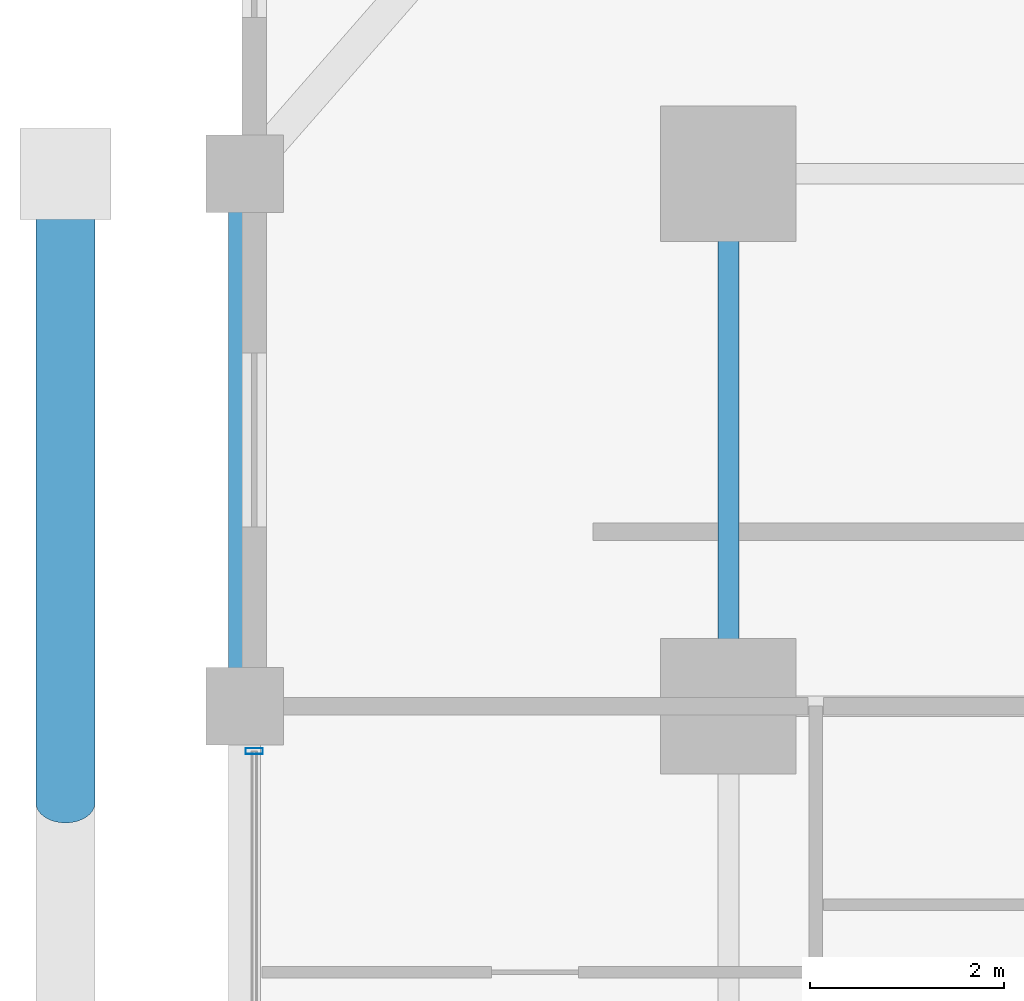
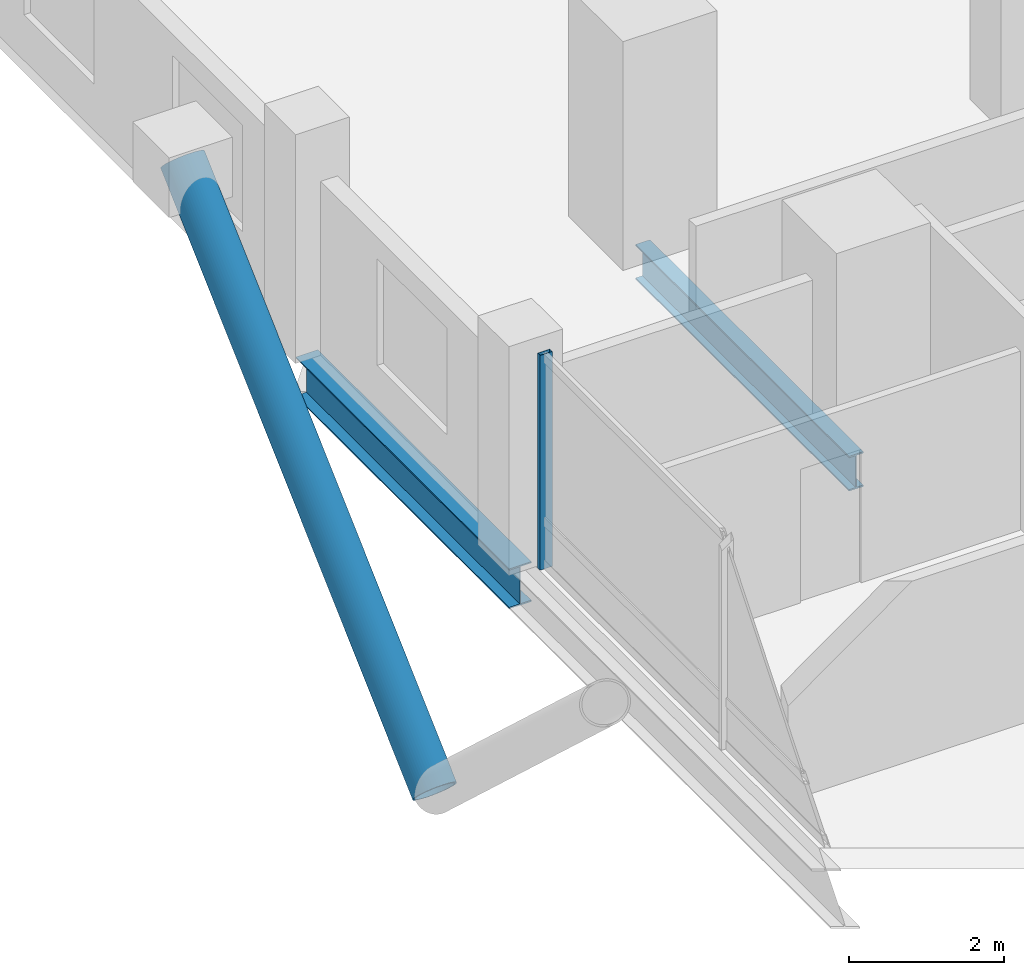
# One storey, part 11 of 23: 2 beams, 2 members, 1 element without a shape of its own.
"""IFC4 building model written with IfcOpenShell, lengths in metres."""

from ifc_helpers import new_model, si_unit, direction, frame, origin, origin_2d, place, context, subcontext, project, spatial, hollow_rectangle, hollow_circle, i_section, extrude, material, layer, layer_set, material_profile, profile_set, type_object, element, aggregate, save


model = new_model("IFC4")

# Units and contexts
model_context = context("Model", 3, precision=1e-05, world=origin(), true_north=direction((0.0, 1.0)))
body_context = subcontext(model_context, "Body", "Model", "MODEL_VIEW")
ifc_project = project(units=[si_unit("LENGTHUNIT", "METRE"), si_unit("AREAUNIT", "SQUARE_METRE"), si_unit("VOLUMEUNIT", "CUBIC_METRE"), si_unit("PLANEANGLEUNIT", "RADIAN"), si_unit("MASSUNIT", "GRAM", prefix="KILO")], contexts=[model_context])

# Site, building, storey
site_placement = place(None, origin())
site = spatial("IfcSite", under=ifc_project, at=site_placement, CompositionType="ELEMENT")
building_placement = place(site_placement, origin())
building = spatial("IfcBuilding", under=site, at=building_placement, Name="Barlavira Tower and Art Museum", CompositionType="ELEMENT")
storey_placement = place(building_placement, frame((0.0, 0.0, 36.0)))
storey = spatial("IfcBuildingStorey", under=building, at=storey_placement, Name="L07", CompositionType="ELEMENT", Elevation=36.0)

# Curtain wall, member
ifc_material_1 = material(Name="Low-iron coastal laminated glass", Category="glass")
ifc_layer = layer(ifc_material_1, 0.179931640625, Name="Low-iron coastal laminated glass")
ifc_layer_set = layer_set([ifc_layer], Name="Low-iron coastal laminated glass")
curtain_wall_type = type_object("IfcCurtainWallType", Name="Pale-Metal Unitised Curtain Wall Zone 1", PredefinedType="NOTDEFINED", material=ifc_layer_set)
curtain_wall_placement = place(storey_placement, origin())
curtain_wall = element("IfcCurtainWall", 1, at=curtain_wall_placement, inside=storey, type_object=curtain_wall_type, Name="L07 Curtain Wall CW1-L07-W-B3", PredefinedType="NOTDEFINED")
ifc_material_2 = material(Name="Pale anodised aluminium", Category="aluminium")
ifc_material_profile_1 = material_profile(ifc_material_2, hollow_rectangle(XDim=0.06494140625, YDim=0.179931640625, WallThickness=0.00390625, at=origin_2d()), Name="ALU-MULL 65x180x4")
ifc_profile_set_1 = profile_set([ifc_material_profile_1], Name="Pale anodised aluminium")
member_type_1 = type_object("IfcMemberType", Name="Curtain Wall Pale-Metal Mullion 65x180", PredefinedType="MULLION", material=ifc_profile_set_1)
member_1_placement = place(storey_placement, frame((-21.89990234375, 7.034912109375, 0.0), z_axis=(0.0, 0.0, 1.0), x_axis=(0.0, -1.0, 0.0)))
member_1 = element("IfcMember", 2, at=member_1_placement, type_object=member_type_1, Name="CW1-L07-W-B3 Mullion 0", PredefinedType="MULLION", context=body_context, shape_type="SweptSolid", body=[
    extrude(hollow_rectangle(XDim=0.06494140625, YDim=0.179931640625, WallThickness=0.00390625, at=origin_2d()), origin(), (0.0, 0.0, 1.0), 3.3798828125),
])
aggregate(curtain_wall, [member_1])

# Member
ifc_material_3 = material(Name="Steel S355", Category="steel")
ifc_material_profile_2 = material_profile(ifc_material_3, hollow_circle(Radius=0.304931640625, WallThickness=0.028076171875, at=origin_2d()), Name="CHS 610.0x28.0")
ifc_profile_set_2 = profile_set([ifc_material_profile_2], Name="Steel S355")
member_type_2 = type_object("IfcMemberType", Name="Pale-Metal Exoskeleton Diagrid Tube CHS 610x28 Steel S355", PredefinedType="BRACE", material=ifc_profile_set_2)
member_2_placement = place(storey_placement, frame((-23.85009765625, 6.5, -2.52001953125), z_axis=(0.0, 0.734803444627, 0.678280102733), x_axis=(-1.0, 0.0, 0.0)))
element("IfcMember", 3, at=member_2_placement, inside=storey, type_object=member_type_2, Name="L07 Exoskeleton Diagrid Tube W", PredefinedType="BRACE", context=body_context, shape_type="SweptSolid", body=[
    extrude(hollow_circle(Radius=0.304931640625, WallThickness=0.028076171875, at=origin_2d()), origin(), (0.0, 0.0, 1.0), 8.845947265625),
])

# Beams
ifc_material_profile_3 = material_profile(ifc_material_3, i_section(OverallWidth=0.327880859375, OverallDepth=0.62890625, WebThickness=0.013916015625, FlangeThickness=0.021484375, at=origin_2d()), Name="W610x174.0")
ifc_profile_set_3 = profile_set([ifc_material_profile_3], Name="Steel S355")
beam_type_1 = type_object("IfcBeamType", Name="Perimeter Spandrel Edge Beam W610x174 Steel S355", PredefinedType="SPANDREL", material=ifc_profile_set_3)
beam_1_placement = place(storey_placement, frame((-22.0, 7.5, -0.534423828125), z_axis=(0.0, 1.0, 0.0), x_axis=(-1.0, 0.0, 0.0)))
element("IfcBeam", 4, at=beam_1_placement, inside=storey, type_object=beam_type_1, Name="L07 Spandrel 13", PredefinedType="SPANDREL", context=body_context, shape_type="SweptSolid", body=[
    extrude(i_section(OverallWidth=0.327880859375, OverallDepth=0.62890625, WebThickness=0.013916015625, FlangeThickness=0.021484375, at=origin_2d()), origin(), (0.0, 0.0, 1.0), 5.5),
])
ifc_material_profile_4 = material_profile(ifc_material_3, i_section(OverallWidth=0.214111328125, OverallDepth=0.549072265625, WebThickness=0.0146484375, FlangeThickness=0.023681640625, at=origin_2d()), Name="W530x138.0")
ifc_profile_set_4 = profile_set([ifc_material_profile_4], Name="Steel S355")
beam_type_2 = type_object("IfcBeamType", Name="Zone 1 Primary Floor Girder W530x138 Steel S355", PredefinedType="BEAM", material=ifc_profile_set_4)
beam_2_placement = place(storey_placement, frame((-17.0, 7.5, -0.494384765625), z_axis=(0.0, 1.0, 0.0), x_axis=(-1.0, 0.0, 0.0)))
element("IfcBeam", 5, at=beam_2_placement, inside=storey, type_object=beam_type_2, Name="L07 Girder M-W3", PredefinedType="BEAM", context=body_context, shape_type="SweptSolid", body=[
    extrude(i_section(OverallWidth=0.214111328125, OverallDepth=0.549072265625, WebThickness=0.0146484375, FlangeThickness=0.023681640625, at=origin_2d()), origin(), (0.0, 0.0, 1.0), 5.5),
])

save(model, "model.ifc")
